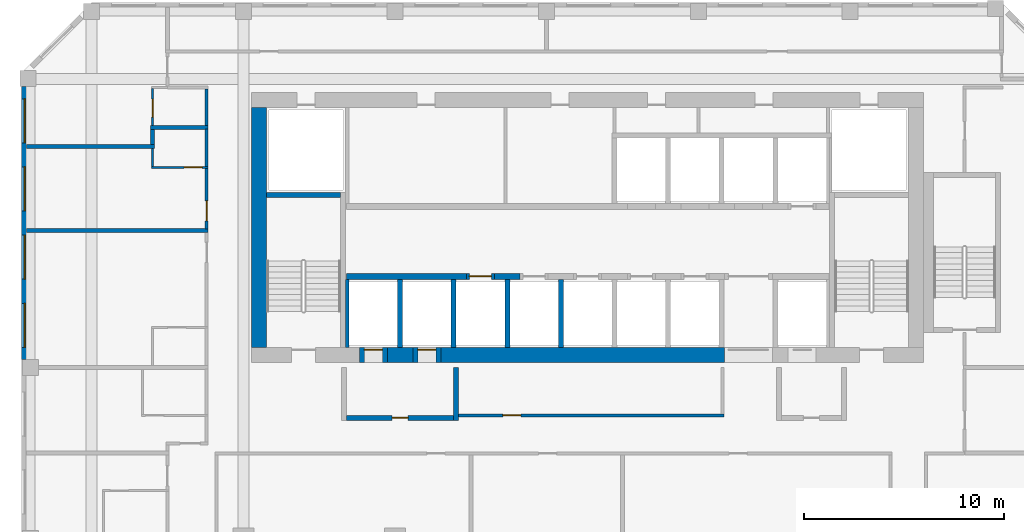
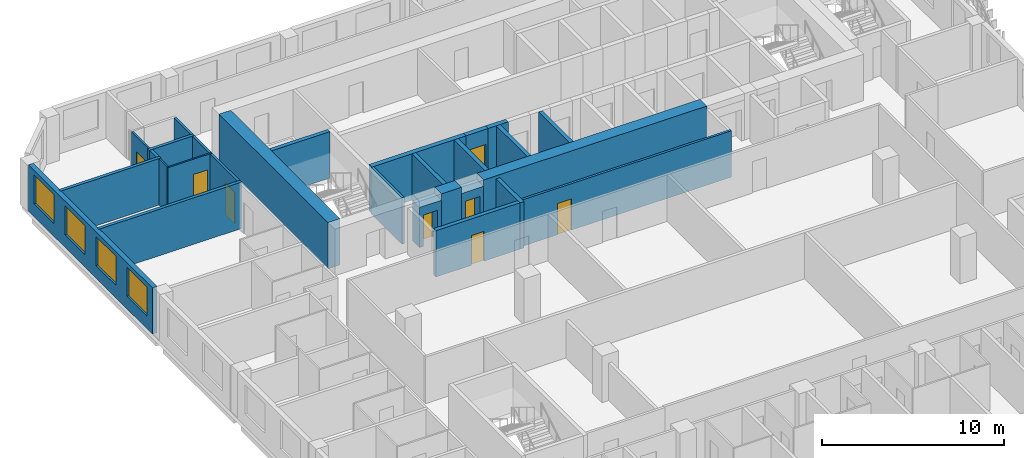
# One storey, part 7 of 22: 28 walls, 8 doors, 4 windows, 12 openings.
"""IFC4 building model written with IfcOpenShell, lengths in metres."""

from ifc_helpers import new_model, si_unit, direction, frame, frame_2d, origin, place, context, subcontext, project, spatial, rectangle, extrude, source, transform, mapped, material, layer, layer_set, type_object, element, fill, save


model = new_model("IFC4")

# Units and contexts
model_context = context("Model", 3, precision=1e-05, world=origin(), true_north=direction((0.0, 1.0)))
body_context = subcontext(model_context, "Body", "Model", "MODEL_VIEW")
ifc_project = project(units=[si_unit("LENGTHUNIT", "METRE"), si_unit("AREAUNIT", "SQUARE_METRE"), si_unit("VOLUMEUNIT", "CUBIC_METRE"), si_unit("PLANEANGLEUNIT", "RADIAN"), si_unit("MASSUNIT", "GRAM", prefix="KILO")], contexts=[model_context])

# Site, building, storey
site_placement = place(None, origin())
site = spatial("IfcSite", under=ifc_project, at=site_placement, CompositionType="ELEMENT")
building_placement = place(site_placement, origin())
building = spatial("IfcBuilding", under=site, at=building_placement, Name="Kilnfold Tower and Market Hall", CompositionType="ELEMENT")
storey_placement = place(building_placement, frame((0.0, 0.0, 188.89990234375)))
storey = spatial("IfcBuildingStorey", under=building, at=storey_placement, Name="L45", CompositionType="ELEMENT", Elevation=188.89990234375)

# Wall, opening, door
ifc_material_1 = material(Name="Gypsum board on steel studs", Category="steel")
ifc_layer_1 = layer(ifc_material_1, 0.14990234375)
ifc_layer_set_1 = layer_set([ifc_layer_1], Name="Gypsum board on steel studs")
wall_type_1 = type_object("IfcWallType", Name="WALL CORRIDOR 150", PredefinedType="PARTITIONING", material=ifc_layer_set_1)
wall_1_placement = place(storey_placement, frame((-18.0, 14.927001953125, 0.0), z_axis=(0.0, 0.0, 1.0), x_axis=(0.0, 1.0, 0.0)))
wall_1 = element("IfcWall", 1, at=wall_1_placement, inside=storey, type_object=wall_type_1, Name="Partition LY28.24", PredefinedType="PARTITIONING", context=body_context, shape_type="SweptSolid", body=[
    extrude(rectangle(XDim=3.032958984375, YDim=0.14990234375, at=frame_2d((1.5166015625, 0.0))), origin(), (0.0, 0.0, 1.0), 3.1201171875),
])
opening_1_placement = place(wall_1_placement, frame((0.404052734375, 0.0, 0.0)))
opening_1 = element("IfcOpeningElement", 2, at=opening_1_placement, cuts=wall_1, Name="Opening D1", PredefinedType="OPENING", context=body_context, shape_type="SweptSolid", body=[
    extrude(rectangle(XDim=1.0, YDim=2.10009765625, at=frame_2d((0.5, 1.050048828125))), frame((0.0, 0.0849609375, 0.0), z_axis=(0.0, -1.0, 0.0), x_axis=(1.0, 0.0, 0.0)), (0.0, 0.0, 1.0), 0.169921875),
])
ifc_material_2 = material(Name="Timber veneer door leaf in steel frame", Category="steel")
door_type_1 = type_object("IfcDoorType", Name="DOOR ENTRY 1000 X2100", OperationType="NOTDEFINED", PredefinedType="DOOR", material=ifc_material_2)
door_1_placement = place(opening_1_placement, origin())
door_1 = element("IfcDoor", 3, at=door_1_placement, inside=storey, type_object=door_type_1, Name="Door D1", OperationType="SINGLE_SWING_LEFT", OverallHeight=2.10009765625, OverallWidth=1.0, PredefinedType="DOOR", context=body_context, shape_type="SweptSolid", body=[
    extrude(rectangle(XDim=1.0, YDim=2.10009765625, at=frame_2d((0.5, 1.050048828125))), frame((0.0, 0.02490234375, 0.0), z_axis=(0.0, -1.0, 0.0), x_axis=(1.0, 0.0, 0.0)), (0.0, 0.0, 1.0), 0.050048828125),
])
fill(opening_1, door_1)

# Walls
wall_2_placement = place(storey_placement, frame((-18.0, 18.0400390625, 0.0), z_axis=(0.0, 0.0, 1.0), x_axis=(0.0, 1.0, 0.0)))
element("IfcWall", 4, at=wall_2_placement, inside=storey, type_object=wall_type_1, Name="Partition LY28.25", PredefinedType="PARTITIONING", context=body_context, shape_type="SweptSolid", body=[
    extrude(rectangle(XDim=1.869873046875, YDim=0.14990234375, at=frame_2d((0.93505859375, 0.0))), origin(), (0.0, 0.0, 1.0), 3.1201171875),
])
wall_3_placement = place(storey_placement, frame((-18.0, 20.090087890625, 0.0), z_axis=(0.0, 0.0, 1.0), x_axis=(0.0, 1.0, 0.0)))
element("IfcWall", 5, at=wall_3_placement, inside=storey, type_object=wall_type_1, Name="Partition LY28.27", PredefinedType="PARTITIONING", context=body_context, shape_type="SweptSolid", body=[
    extrude(rectangle(XDim=1.8349609375, YDim=0.14990234375, at=frame_2d((0.91748046875, 0.0))), origin(), (0.0, 0.0, 1.0), 3.1201171875),
])

# Wall, opening, door
wall_4_placement = place(storey_placement, frame((7.875, 5.60009765625, 0.0), z_axis=(0.0, 0.0, 1.0), x_axis=(-1.0, 0.0, 0.0)))
wall_4 = element("IfcWall", 6, at=wall_4_placement, inside=storey, type_object=wall_type_1, Name="Partition LY28.40", PredefinedType="PARTITIONING", context=body_context, shape_type="SweptSolid", body=[
    extrude(rectangle(XDim=13.27490234375, YDim=0.14990234375, at=frame_2d((6.637451171875, 0.0))), origin(), (0.0, 0.0, 1.0), 3.1201171875),
])
opening_2_placement = place(wall_4_placement, frame((10.162109375, 0.0, 0.0)))
opening_2 = element("IfcOpeningElement", 7, at=opening_2_placement, cuts=wall_4, Name="Opening D2", PredefinedType="OPENING", context=body_context, shape_type="SweptSolid", body=[
    extrude(rectangle(XDim=0.89990234375, YDim=2.10009765625, at=frame_2d((0.449951171875, 1.050048828125))), frame((0.0, 0.0849609375, 0.0), z_axis=(0.0, -1.0, 0.0), x_axis=(1.0, 0.0, 0.0)), (0.0, 0.0, 1.0), 0.169921875),
])
ifc_material_3 = material(Name="Timber veneer door leaf in steel frame", Category="steel")
door_type_2 = type_object("IfcDoorType", Name="DOOR ROOM 900 X2100", OperationType="NOTDEFINED", PredefinedType="DOOR", material=ifc_material_3)
door_2_placement = place(opening_2_placement, origin())
door_2 = element("IfcDoor", 8, at=door_2_placement, inside=storey, type_object=door_type_2, Name="Door D2", OperationType="SINGLE_SWING_RIGHT", OverallHeight=2.10009765625, OverallWidth=0.89990234375, PredefinedType="DOOR", context=body_context, shape_type="SweptSolid", body=[
    extrude(rectangle(XDim=0.89990234375, YDim=2.10009765625, at=frame_2d((0.449951171875, 1.050048828125))), frame((0.0, 0.02490234375, 0.0), z_axis=(0.0, -1.0, 0.0), x_axis=(1.0, 0.0, 0.0)), (0.0, 0.0, 1.0), 0.050048828125),
])
fill(opening_2, door_2)

ifc_material_4 = material(Name="Gypsum board on steel studs", Category="steel")
ifc_layer_2 = layer(ifc_material_4, 0.10009765625)
ifc_layer_set_2 = layer_set([ifc_layer_2], Name="Gypsum board on steel studs")
wall_type_2 = type_object("IfcWallType", Name="WALL PARTITION 100", PredefinedType="PARTITIONING", material=ifc_layer_set_2)
wall_5_placement = place(storey_placement, frame((-17.927001953125, 18.0, 0.0), z_axis=(0.0, 0.0, 1.0), x_axis=(-1.0, 0.0, 0.0)))
wall_5 = element("IfcWall", 9, at=wall_5_placement, inside=storey, type_object=wall_type_2, Name="Partition LY28.107", PredefinedType="PARTITIONING", context=body_context, shape_type="SweptSolid", body=[
    extrude(rectangle(XDim=2.824951171875, YDim=0.10009765625, at=frame_2d((1.41259765625, 0.0))), origin(), (0.0, 0.0, 1.0), 3.1201171875),
])
opening_3_placement = place(wall_5_placement, frame((0.302001953125, 0.0, 0.0)))
opening_3 = element("IfcOpeningElement", 10, at=opening_3_placement, cuts=wall_5, Name="Opening D3", PredefinedType="OPENING", context=body_context, shape_type="SweptSolid", body=[
    extrude(rectangle(XDim=0.89990234375, YDim=2.10009765625, at=frame_2d((0.449951171875, 1.050048828125))), frame((0.0, 0.06005859375, 0.0), z_axis=(0.0, -1.0, 0.0), x_axis=(1.0, 0.0, 0.0)), (0.0, 0.0, 1.0), 0.1201171875),
])
ifc_material_5 = material(Name="Timber veneer door leaf in steel frame", Category="steel")
door_type_3 = type_object("IfcDoorType", Name="DOOR WC 900 X2100", OperationType="NOTDEFINED", PredefinedType="DOOR", material=ifc_material_5)
door_3_placement = place(opening_3_placement, origin())
door_3 = element("IfcDoor", 11, at=door_3_placement, inside=storey, type_object=door_type_3, Name="Door D3", OperationType="SINGLE_SWING_RIGHT", OverallHeight=2.10009765625, OverallWidth=0.89990234375, PredefinedType="DOOR", context=body_context, shape_type="SweptSolid", body=[
    extrude(rectangle(XDim=0.89990234375, YDim=2.10009765625, at=frame_2d((0.449951171875, 1.050048828125))), frame((0.0, 0.02490234375, 0.0), z_axis=(0.0, -1.0, 0.0), x_axis=(1.0, 0.0, 0.0)), (0.0, 0.0, 1.0), 0.050048828125),
])
fill(opening_3, door_3)

# Wall
wall_6_placement = place(storey_placement, frame((-20.701904296875, 18.050048828125, 0.0), z_axis=(0.0, 0.0, 1.0), x_axis=(0.0, 1.0, 0.0)))
element("IfcWall", 12, at=wall_6_placement, inside=storey, type_object=wall_type_2, Name="Partition LY28.108", PredefinedType="PARTITIONING", context=body_context, shape_type="SweptSolid", body=[
    extrude(rectangle(XDim=0.90283203125, YDim=0.10009765625, at=frame_2d((0.451416015625, 0.0))), origin(), (0.0, 0.0, 1.0), 3.1201171875),
])

# Wall, opening, door
wall_7_placement = place(storey_placement, frame((-20.701904296875, 20.090087890625, 0.0), z_axis=(0.0, 0.0, 1.0), x_axis=(0.0, 1.0, 0.0)))
wall_7 = element("IfcWall", 13, at=wall_7_placement, inside=storey, type_object=wall_type_2, Name="Partition LY28.113", PredefinedType="PARTITIONING", context=body_context, shape_type="SweptSolid", body=[
    extrude(rectangle(XDim=1.85986328125, YDim=0.10009765625, at=frame_2d((0.929931640625, 0.0))), origin(), (0.0, 0.0, 1.0), 3.1201171875),
])
opening_4_placement = place(wall_7_placement, frame((0.424072265625, 0.0, 0.0)))
opening_4 = element("IfcOpeningElement", 14, at=opening_4_placement, cuts=wall_7, Name="Opening D3", PredefinedType="OPENING", context=body_context, shape_type="SweptSolid", body=[
    extrude(rectangle(XDim=0.89990234375, YDim=2.10009765625, at=frame_2d((0.449951171875, 1.050048828125))), frame((0.0, 0.06005859375, 0.0), z_axis=(0.0, -1.0, 0.0), x_axis=(1.0, 0.0, 0.0)), (0.0, 0.0, 1.0), 0.1201171875),
])
door_4_placement = place(opening_4_placement, origin())
door_4 = element("IfcDoor", 15, at=door_4_placement, inside=storey, type_object=door_type_3, Name="Door D3", OperationType="SINGLE_SWING_LEFT", OverallHeight=2.10009765625, OverallWidth=0.89990234375, PredefinedType="DOOR", context=body_context, shape_type="SweptSolid", body=[
    extrude(rectangle(XDim=0.89990234375, YDim=2.10009765625, at=frame_2d((0.449951171875, 1.050048828125))), frame((0.0, 0.02490234375, 0.0), z_axis=(0.0, -1.0, 0.0), x_axis=(1.0, 0.0, 0.0)), (0.0, 0.0, 1.0), 0.050048828125),
])
fill(opening_4, door_4)

# Walls
ifc_material_6 = material(Name="Gypsum board on steel studs", Category="steel")
ifc_layer_3 = layer(ifc_material_6, 0.199951171875)
ifc_layer_set_3 = layer_set([ifc_layer_3], Name="Gypsum board on steel studs")
wall_type_3 = type_object("IfcWallType", Name="WALL PARTY 200", PredefinedType="PARTITIONING", material=ifc_layer_set_3)
wall_8_placement = place(storey_placement, frame((-17.927001953125, 14.8369140625, 0.0), z_axis=(0.0, 0.0, 1.0), x_axis=(-1.0, 0.0, 0.0)))
element("IfcWall", 16, at=wall_8_placement, inside=storey, type_object=wall_type_3, Name="Partition LY28.106", PredefinedType="PARTITIONING", context=body_context, shape_type="SweptSolid", body=[
    extrude(rectangle(XDim=9.072998046875, YDim=0.199951171875, at=frame_2d((4.53662109375, 0.0))), origin(), (0.0, 0.0, 1.0), 3.1201171875),
])
wall_9_placement = place(storey_placement, frame((-20.60205078125, 19.052978515625, 0.0), z_axis=(0.0, 0.0, 1.0), x_axis=(-1.0, 0.0, 0.0)))
element("IfcWall", 17, at=wall_9_placement, inside=storey, type_object=wall_type_3, Name="Partition LY28.109", PredefinedType="PARTITIONING", context=body_context, shape_type="SweptSolid", body=[
    extrude(rectangle(XDim=6.39794921875, YDim=0.199951171875, at=frame_2d((3.198974609375, 0.0))), origin(), (0.0, 0.0, 1.0), 3.1201171875),
])
wall_10_placement = place(storey_placement, frame((-20.701904296875, 19.89990234375, 0.0), z_axis=(0.0, 0.0, 1.0), x_axis=(0.0, -1.0, 0.0)))
element("IfcWall", 18, at=wall_10_placement, inside=storey, type_object=wall_type_3, Name="Partition LY28.110", PredefinedType="PARTITIONING", context=body_context, shape_type="SweptSolid", body=[
    extrude(rectangle(XDim=0.7568359375, YDim=0.199951171875, at=frame_2d((0.37841796875, 0.0))), origin(), (0.0, 0.0, 1.0), 3.1201171875),
])
wall_11_placement = place(storey_placement, frame((-17.927001953125, 20.0, 0.0), z_axis=(0.0, 0.0, 1.0), x_axis=(-1.0, 0.0, 0.0)))
element("IfcWall", 19, at=wall_11_placement, inside=storey, type_object=wall_type_3, Name="Partition LY28.111", PredefinedType="PARTITIONING", context=body_context, shape_type="SweptSolid", body=[
    extrude(rectangle(XDim=2.875, YDim=0.199951171875, at=frame_2d((1.4375, 0.0))), origin(), (0.0, 0.0, 1.0), 3.1201171875),
])
ifc_material_7 = material(Name="Concrete C60", Category="concrete")
ifc_layer_4 = layer(ifc_material_7, 0.25)
ifc_layer_set_4 = layer_set([ifc_layer_4], Name="Concrete C60")
wall_type_4 = type_object("IfcWallType", Name="CORE WALL 250 C60", PredefinedType="SHEAR", material=ifc_layer_set_4)
shared_shape_1 = source(origin(), body_context, "Body", "SweptSolid", [
    extrude(rectangle(XDim=3.699951171875, YDim=0.25, at=frame_2d((1.85009765625, 0.0))), origin(), (0.0, 0.0, 1.0), 3.1201171875),
])
wall_12_placement = place(storey_placement, frame((-15.0, 16.625, 0.0), z_axis=(0.0, 0.0, 1.0), x_axis=(1.0, 0.0, 0.0)))
element("IfcWall", 20, at=wall_12_placement, inside=storey, type_object=wall_type_4, Name="Stair enclosure ST1", PredefinedType="SHEAR", context=body_context, shape_type="MappedRepresentation", body=[
    mapped(shared_shape_1, transform((0.0, 0.0, 0.0))),
])
ifc_material_8 = material(Name="Concrete C60", Category="concrete")
ifc_layer_5 = layer(ifc_material_8, 0.300048828125)
ifc_layer_set_5 = layer_set([ifc_layer_5], Name="Concrete C60")
wall_type_5 = type_object("IfcWallType", Name="CORE WALL 300 C60", PredefinedType="SHEAR", material=ifc_layer_set_5)
shared_shape_2 = source(origin(), body_context, "Body", "SweptSolid", [
    extrude(rectangle(XDim=6.0, YDim=0.300048828125, at=frame_2d((3.0, 0.0))), origin(), (0.0, 0.0, 1.0), 3.1201171875),
])
wall_13_placement = place(storey_placement, frame((-11.010009765625, 12.550048828125, 0.0), z_axis=(0.0, 0.0, 1.0), x_axis=(1.0, 0.0, 0.0)))
element("IfcWall", 21, at=wall_13_placement, inside=storey, type_object=wall_type_5, Name="Core spine wall", PredefinedType="SHEAR", context=body_context, shape_type="MappedRepresentation", body=[
    mapped(shared_shape_2, transform((0.0, 0.0, 0.0))),
])
shared_shape_3 = source(origin(), body_context, "Body", "SweptSolid", [
    extrude(rectangle(XDim=1.280029296875, YDim=0.300048828125, at=frame_2d((0.64013671875, 0.0))), origin(), (0.0, 0.0, 1.0), 3.1201171875),
])
wall_14_placement = place(storey_placement, frame((-3.610107421875, 12.550048828125, 0.0), z_axis=(0.0, 0.0, 1.0), x_axis=(1.0, 0.0, 0.0)))
element("IfcWall", 22, at=wall_14_placement, inside=storey, type_object=wall_type_5, Name="Core spine wall", PredefinedType="SHEAR", context=body_context, shape_type="MappedRepresentation", body=[
    mapped(shared_shape_3, transform((0.0, 0.0, 0.0))),
])
ifc_material_9 = material(Name="Concrete C60", Category="concrete")
ifc_layer_6 = layer(ifc_material_9, 0.75)
ifc_layer_set_6 = layer_set([ifc_layer_6], Name="Concrete C60")
wall_type_6 = type_object("IfcWallType", Name="CORE WALL 750 C60", PredefinedType="SHEAR", material=ifc_layer_set_6)
shared_shape_4 = source(origin(), body_context, "Body", "SweptSolid", [
    extrude(rectangle(XDim=1.280029296875, YDim=0.75, at=frame_2d((0.64013671875, 0.0))), origin(), (0.0, 0.0, 1.0), 3.1201171875),
])
wall_15_placement = place(storey_placement, frame((-8.969970703125, 8.625, 0.0), z_axis=(0.0, 0.0, 1.0), x_axis=(1.0, 0.0, 0.0)))
element("IfcWall", 23, at=wall_15_placement, inside=storey, type_object=wall_type_6, Name="Core outer wall south", PredefinedType="SHEAR", context=body_context, shape_type="MappedRepresentation", body=[
    mapped(shared_shape_4, transform((0.0, 0.0, 0.0))),
])
shared_shape_5 = source(origin(), body_context, "Body", "SweptSolid", [
    extrude(rectangle(XDim=14.179931640625, YDim=0.75, at=frame_2d((7.08984375, 0.0))), origin(), (0.0, 0.0, 1.0), 3.1201171875),
])
wall_16_placement = place(storey_placement, frame((-6.2900390625, 8.625, 0.0), z_axis=(0.0, 0.0, 1.0), x_axis=(1.0, 0.0, 0.0)))
element("IfcWall", 24, at=wall_16_placement, inside=storey, type_object=wall_type_6, Name="Core outer wall south", PredefinedType="SHEAR", context=body_context, shape_type="MappedRepresentation", body=[
    mapped(shared_shape_5, transform((0.0, 0.0, 0.0))),
])
shared_shape_6 = source(origin(), body_context, "Body", "SweptSolid", [
    extrude(rectangle(XDim=12.0, YDim=0.75, at=frame_2d((6.0, 0.0))), origin(), (0.0, 0.0, 1.0), 3.1201171875),
])
wall_17_placement = place(storey_placement, frame((-15.375, 9.0, 0.0), z_axis=(0.0, 0.0, 1.0), x_axis=(0.0, 1.0, 0.0)))
element("IfcWall", 25, at=wall_17_placement, inside=storey, type_object=wall_type_6, Name="Core outer wall west", PredefinedType="SHEAR", context=body_context, shape_type="MappedRepresentation", body=[
    mapped(shared_shape_6, transform((0.0, 0.0, 0.0))),
])

# Wall, openings, windows
ifc_material_10 = material(Name="Precast concrete C50/60", Category="concrete")
ifc_layer_7 = layer(ifc_material_10, 0.300048828125)
ifc_layer_set_7 = layer_set([ifc_layer_7], Name="Precast concrete C50/60")
wall_type_7 = type_object("IfcWallType", Name="PRECAST WALL 300", PredefinedType="SOLIDWALL", material=ifc_layer_set_7)
shared_shape_7 = source(origin(), body_context, "Body", "SweptSolid", [
    extrude(rectangle(XDim=13.6318359375, YDim=0.300048828125, at=frame_2d((6.81591796875, 0.0))), origin(), (0.0, 0.0, 1.0), 3.1201171875),
])
wall_18_placement = place(storey_placement, frame((-27.10009765625, 22.03173828125, 0.0), z_axis=(0.0, 0.0, 1.0), x_axis=(0.0, -1.0, 0.0)))
wall_18 = element("IfcWall", 26, at=wall_18_placement, inside=storey, type_object=wall_type_7, Name="External wall L45 W", PredefinedType="SOLIDWALL", context=body_context, shape_type="MappedRepresentation", body=[
    mapped(shared_shape_7, transform((0.0, 0.0, 0.0))),
])
opening_5_placement = place(wall_18_placement, frame((0.60400390625, 0.0, 0.85009765625)))
opening_5 = element("IfcOpeningElement", 27, at=opening_5_placement, cuts=wall_18, Name="Opening W2", PredefinedType="OPENING", context=body_context, shape_type="SweptSolid", body=[
    extrude(rectangle(XDim=2.199951171875, YDim=1.949951171875, at=frame_2d((1.10009765625, 0.97509765625))), frame((0.0, 0.16015625, 0.0), z_axis=(0.0, -1.0, 0.0), x_axis=(1.0, 0.0, 0.0)), (0.0, 0.0, 1.0), 0.320068359375),
])
opening_6_placement = place(wall_18_placement, frame((4.011962890625, 0.0, 0.85009765625)))
opening_6 = element("IfcOpeningElement", 28, at=opening_6_placement, cuts=wall_18, Name="Opening W2", PredefinedType="OPENING", context=body_context, shape_type="SweptSolid", body=[
    extrude(rectangle(XDim=2.199951171875, YDim=1.949951171875, at=frame_2d((1.10009765625, 0.97509765625))), frame((0.0, 0.16015625, 0.0), z_axis=(0.0, -1.0, 0.0), x_axis=(1.0, 0.0, 0.0)), (0.0, 0.0, 1.0), 0.320068359375),
])
opening_7_placement = place(wall_18_placement, frame((7.419921875, 0.0, 0.85009765625)))
opening_7 = element("IfcOpeningElement", 29, at=opening_7_placement, cuts=wall_18, Name="Opening W2", PredefinedType="OPENING", context=body_context, shape_type="SweptSolid", body=[
    extrude(rectangle(XDim=2.199951171875, YDim=1.949951171875, at=frame_2d((1.10009765625, 0.97509765625))), frame((0.0, 0.16015625, 0.0), z_axis=(0.0, -1.0, 0.0), x_axis=(1.0, 0.0, 0.0)), (0.0, 0.0, 1.0), 0.320068359375),
])
opening_8_placement = place(wall_18_placement, frame((10.827880859375, 0.0, 0.85009765625)))
opening_8 = element("IfcOpeningElement", 30, at=opening_8_placement, cuts=wall_18, Name="Opening W2", PredefinedType="OPENING", context=body_context, shape_type="SweptSolid", body=[
    extrude(rectangle(XDim=2.199951171875, YDim=1.949951171875, at=frame_2d((1.10009765625, 0.97509765625))), frame((0.0, 0.16015625, 0.0), z_axis=(0.0, -1.0, 0.0), x_axis=(1.0, 0.0, 0.0)), (0.0, 0.0, 1.0), 0.320068359375),
])
ifc_material_11 = material(Name="Aluminium frame and double glazing", Category="aluminium")
window_type = type_object("IfcWindowType", Name="WINDOW W2 2200X1950", PartitioningType="SINGLE_PANEL", PredefinedType="WINDOW", material=ifc_material_11)
window_1_placement = place(opening_5_placement, origin())
window_1 = element("IfcWindow", 31, at=window_1_placement, inside=storey, type_object=window_type, Name="Window W2 L45 W-1", OverallHeight=1.949951171875, OverallWidth=2.199951171875, PartitioningType="SINGLE_PANEL", PredefinedType="WINDOW", context=body_context, shape_type="SweptSolid", body=[
    extrude(rectangle(XDim=2.199951171875, YDim=1.949951171875, at=frame_2d((1.10009765625, 0.97509765625))), frame((0.0, 0.030029296875, 0.0), z_axis=(0.0, -1.0, 0.0), x_axis=(1.0, 0.0, 0.0)), (0.0, 0.0, 1.0), 0.06005859375),
])
fill(opening_5, window_1)
window_2_placement = place(opening_6_placement, origin())
window_2 = element("IfcWindow", 32, at=window_2_placement, inside=storey, type_object=window_type, Name="Window W2 L45 W-2", OverallHeight=1.949951171875, OverallWidth=2.199951171875, PartitioningType="SINGLE_PANEL", PredefinedType="WINDOW", context=body_context, shape_type="SweptSolid", body=[
    extrude(rectangle(XDim=2.199951171875, YDim=1.949951171875, at=frame_2d((1.10009765625, 0.97509765625))), frame((0.0, 0.030029296875, 0.0), z_axis=(0.0, -1.0, 0.0), x_axis=(1.0, 0.0, 0.0)), (0.0, 0.0, 1.0), 0.06005859375),
])
fill(opening_6, window_2)
window_3_placement = place(opening_7_placement, origin())
window_3 = element("IfcWindow", 33, at=window_3_placement, inside=storey, type_object=window_type, Name="Window W2 L45 W-3", OverallHeight=1.949951171875, OverallWidth=2.199951171875, PartitioningType="SINGLE_PANEL", PredefinedType="WINDOW", context=body_context, shape_type="SweptSolid", body=[
    extrude(rectangle(XDim=2.199951171875, YDim=1.949951171875, at=frame_2d((1.10009765625, 0.97509765625))), frame((0.0, 0.030029296875, 0.0), z_axis=(0.0, -1.0, 0.0), x_axis=(1.0, 0.0, 0.0)), (0.0, 0.0, 1.0), 0.06005859375),
])
fill(opening_7, window_3)
window_4_placement = place(opening_8_placement, origin())
window_4 = element("IfcWindow", 34, at=window_4_placement, inside=storey, type_object=window_type, Name="Window W2 L45 W-4", OverallHeight=1.949951171875, OverallWidth=2.199951171875, PartitioningType="SINGLE_PANEL", PredefinedType="WINDOW", context=body_context, shape_type="SweptSolid", body=[
    extrude(rectangle(XDim=2.199951171875, YDim=1.949951171875, at=frame_2d((1.10009765625, 0.97509765625))), frame((0.0, 0.030029296875, 0.0), z_axis=(0.0, -1.0, 0.0), x_axis=(1.0, 0.0, 0.0)), (0.0, 0.0, 1.0), 0.06005859375),
])
fill(opening_8, window_4)

# Wall, opening, door
ifc_material_12 = material(Name="Gypsum shaft wall system")
ifc_layer_8 = layer(ifc_material_12, 0.300048828125)
ifc_layer_set_8 = layer_set([ifc_layer_8], Name="Gypsum shaft wall system")
wall_type_8 = type_object("IfcWallType", Name="SHAFT WALL 300", PredefinedType="PARTITIONING", material=ifc_layer_set_8)
shared_shape_8 = source(origin(), body_context, "Body", "SweptSolid", [
    extrude(rectangle(XDim=1.39990234375, YDim=0.300048828125, at=frame_2d((0.699951171875, 0.0))), origin(), (0.0, 0.0, 1.0), 3.1201171875),
])
wall_19_placement = place(storey_placement, frame((-5.010009765625, 12.550048828125, 0.0), z_axis=(0.0, 0.0, 1.0), x_axis=(1.0, 0.0, 0.0)))
wall_19 = element("IfcWall", 35, at=wall_19_placement, inside=storey, type_object=wall_type_8, Name="Lift shaft front wall", PredefinedType="PARTITIONING", context=body_context, shape_type="MappedRepresentation", body=[
    mapped(shared_shape_8, transform((0.0, 0.0, 0.0))),
])
opening_9_placement = place(wall_19_placement, frame((0.14990234375, 0.0, 0.0)))
opening_9 = element("IfcOpeningElement", 36, at=opening_9_placement, cuts=wall_19, Name="Opening LD2", PredefinedType="OPENING", context=body_context, shape_type="SweptSolid", body=[
    extrude(rectangle(XDim=1.10009765625, YDim=2.10009765625, at=frame_2d((0.550048828125, 1.050048828125))), frame((0.0, 0.16015625, 0.0), z_axis=(0.0, -1.0, 0.0), x_axis=(1.0, 0.0, 0.0)), (0.0, 0.0, 1.0), 0.320068359375),
])
ifc_material_13 = material(Name="Steel door set with fire-resisting leaf", Category="steel")
door_type_4 = type_object("IfcDoorType", Name="LANDING DOOR 1100X2100", OperationType="NOTDEFINED", PredefinedType="DOOR", material=ifc_material_13)
door_5_placement = place(opening_9_placement, origin())
door_5 = element("IfcDoor", 37, at=door_5_placement, inside=storey, type_object=door_type_4, Name="Landing door MR1", OperationType="DOUBLE_DOOR_SLIDING", OverallHeight=2.10009765625, OverallWidth=1.10009765625, PredefinedType="DOOR", context=body_context, shape_type="SweptSolid", body=[
    extrude(rectangle(XDim=1.10009765625, YDim=2.10009765625, at=frame_2d((0.550048828125, 1.050048828125))), frame((0.0, 0.02490234375, 0.0), z_axis=(0.0, -1.0, 0.0), x_axis=(1.0, 0.0, 0.0)), (0.0, 0.0, 1.0), 0.050048828125),
])
fill(opening_9, door_5)

# Wall
ifc_material_14 = material(Name="Gypsum shaft wall system")
ifc_layer_9 = layer(ifc_material_14, 0.25)
ifc_layer_set_9 = layer_set([ifc_layer_9], Name="Gypsum shaft wall system")
wall_type_9 = type_object("IfcWallType", Name="LOBBY WALL 250", PredefinedType="PARTITIONING", material=ifc_layer_set_9)
shared_shape_9 = source(origin(), body_context, "Body", "SweptSolid", [
    extrude(rectangle(XDim=2.64990234375, YDim=0.25, at=frame_2d((1.324951171875, 0.0))), origin(), (0.0, 0.0, 1.0), 3.1201171875),
])
wall_20_placement = place(storey_placement, frame((-5.52490234375, 5.35009765625, 0.0), z_axis=(0.0, 0.0, 1.0), x_axis=(0.0, 1.0, 0.0)))
element("IfcWall", 38, at=wall_20_placement, inside=storey, type_object=wall_type_9, Name="Firefighting lobby wall", PredefinedType="PARTITIONING", context=body_context, shape_type="MappedRepresentation", body=[
    mapped(shared_shape_9, transform((0.0, 0.0, 0.0))),
])

# Wall, opening, door
shared_shape_10 = source(origin(), body_context, "Body", "SweptSolid", [
    extrude(rectangle(XDim=5.360107421875, YDim=0.25, at=frame_2d((2.68017578125, 0.0))), origin(), (0.0, 0.0, 1.0), 3.1201171875),
])
wall_21_placement = place(storey_placement, frame((-11.010009765625, 5.47509765625, 0.0), z_axis=(0.0, 0.0, 1.0), x_axis=(1.0, 0.0, 0.0)))
wall_21 = element("IfcWall", 39, at=wall_21_placement, inside=storey, type_object=wall_type_9, Name="Firefighting lobby wall", PredefinedType="PARTITIONING", context=body_context, shape_type="MappedRepresentation", body=[
    mapped(shared_shape_10, transform((0.0, 0.0, 0.0))),
])
opening_10_placement = place(wall_21_placement, frame((2.280029296875, 0.0, 0.0)))
opening_10 = element("IfcOpeningElement", 40, at=opening_10_placement, cuts=wall_21, Name="Opening VD1", PredefinedType="OPENING", context=body_context, shape_type="SweptSolid", body=[
    extrude(rectangle(XDim=0.800048828125, YDim=2.0, at=frame_2d((0.39990234375, 1.0))), frame((0.0, 0.135009765625, 0.0), z_axis=(0.0, -1.0, 0.0), x_axis=(1.0, 0.0, 0.0)), (0.0, 0.0, 1.0), 0.27001953125),
])
ifc_material_15 = material(Name="Steel door set with fire-resisting leaf", Category="steel")
door_type_5 = type_object("IfcDoorType", Name="FIREFIGHTING LOBBY DOOR 800X2000", OperationType="NOTDEFINED", PredefinedType="DOOR", material=ifc_material_15)
door_6_placement = place(opening_10_placement, origin())
door_6 = element("IfcDoor", 41, at=door_6_placement, inside=storey, type_object=door_type_5, Name="Firefighting lobby door", OperationType="SINGLE_SWING_LEFT", OverallHeight=2.0, OverallWidth=0.800048828125, PredefinedType="DOOR", context=body_context, shape_type="SweptSolid", body=[
    extrude(rectangle(XDim=0.800048828125, YDim=2.0, at=frame_2d((0.39990234375, 1.0))), frame((0.0, 0.02490234375, 0.0), z_axis=(0.0, -1.0, 0.0), x_axis=(1.0, 0.0, 0.0)), (0.0, 0.0, 1.0), 0.050048828125),
])
fill(opening_10, door_6)

# Walls
ifc_material_16 = material(Name="Gypsum shaft wall system")
ifc_layer_10 = layer(ifc_material_16, 0.25)
ifc_layer_set_10 = layer_set([ifc_layer_10], Name="Gypsum shaft wall system")
wall_type_10 = type_object("IfcWallType", Name="SHAFT WALL 250", PredefinedType="PARTITIONING", material=ifc_layer_set_10)
shared_shape_11 = source(origin(), body_context, "Body", "SweptSolid", [
    extrude(rectangle(XDim=3.39990234375, YDim=0.25, at=frame_2d((1.699951171875, 0.0))), origin(), (0.0, 0.0, 1.0), 3.1201171875),
])
for number, where, z_axis, x_axis, name in (
    (42, (-0.2900390625, 9.0, 0.0), (0.0, 0.0, 1.0), (0.0, 1.0, 0.0), "Lift shaft wall"),
    (43, (-2.969970703125, 9.0, 0.0), (0.0, 0.0, 1.0), (0.0, 1.0, 0.0), "Lift shaft wall"),
    (44, (-5.64990234375, 9.0, 0.0), (0.0, 0.0, 1.0), (0.0, 1.0, 0.0), "Lift shaft wall"),
    (45, (-8.330078125, 9.0, 0.0), (0.0, 0.0, 1.0), (0.0, 1.0, 0.0), "Lift shaft wall"),
):
    element("IfcWall", number, at=place(storey_placement, frame(where, z_axis=z_axis, x_axis=x_axis)), inside=storey, type_object=wall_type_10, Name=name, PredefinedType="PARTITIONING", context=body_context, shape_type="MappedRepresentation", body=[
        mapped(shared_shape_11, transform((0.0, 0.0, 0.0))),
    ])
ifc_material_17 = material(Name="Gypsum shaft wall system")
ifc_layer_11 = layer(ifc_material_17, 0.1650390625)
ifc_layer_set_11 = layer_set([ifc_layer_11], Name="Gypsum shaft wall system")
wall_type_11 = type_object("IfcWallType", Name="SHAFT WALL 165", PredefinedType="PARTITIONING", material=ifc_layer_set_11)
shared_shape_12 = source(origin(), body_context, "Body", "SweptSolid", [
    extrude(rectangle(XDim=3.39990234375, YDim=0.1650390625, at=frame_2d((1.699951171875, 0.0))), origin(), (0.0, 0.0, 1.0), 3.1201171875),
])
wall_22_placement = place(storey_placement, frame((-10.967529296875, 9.0, 0.0), z_axis=(0.0, 0.0, 1.0), x_axis=(0.0, 1.0, 0.0)))
element("IfcWall", 46, at=wall_22_placement, inside=storey, type_object=wall_type_11, Name="Lift shaft wall", PredefinedType="PARTITIONING", context=body_context, shape_type="MappedRepresentation", body=[
    mapped(shared_shape_12, transform((0.0, 0.0, 0.0))),
])

# Wall, opening, door
ifc_material_18 = material(Name="Gypsum shaft wall system")
ifc_layer_12 = layer(ifc_material_18, 0.75)
ifc_layer_set_12 = layer_set([ifc_layer_12], Name="Gypsum shaft wall system")
wall_type_12 = type_object("IfcWallType", Name="LOBBY WALL 750", PredefinedType="PARTITIONING", material=ifc_layer_set_12)
shared_shape_13 = source(origin(), body_context, "Body", "SweptSolid", [
    extrude(rectangle(XDim=1.400146484375, YDim=0.75, at=frame_2d((0.7001953125, 0.0))), origin(), (0.0, 0.0, 1.0), 2.7001953125),
])
wall_23_placement = place(storey_placement, frame((-10.3701171875, 8.625, 0.0), z_axis=(0.0, 0.0, 1.0), x_axis=(1.0, 0.0, 0.0)))
wall_23 = element("IfcWall", 47, at=wall_23_placement, inside=storey, type_object=wall_type_12, Name="Core wall infill", PredefinedType="PARTITIONING", context=body_context, shape_type="MappedRepresentation", body=[
    mapped(shared_shape_13, transform((0.0, 0.0, 0.0))),
])
opening_11_placement = place(wall_23_placement, frame((0.25, 0.0, 0.0)))
opening_11 = element("IfcOpeningElement", 48, at=opening_11_placement, cuts=wall_23, Name="Opening LD1", PredefinedType="OPENING", context=body_context, shape_type="SweptSolid", body=[
    extrude(rectangle(XDim=0.89990234375, YDim=2.10009765625, at=frame_2d((0.449951171875, 1.050048828125))), frame((0.0, 0.385009765625, 0.0), z_axis=(0.0, -1.0, 0.0), x_axis=(1.0, 0.0, 0.0)), (0.0, 0.0, 1.0), 0.77001953125),
])
ifc_material_19 = material(Name="Steel door set with fire-resisting leaf", Category="steel")
door_type_6 = type_object("IfcDoorType", Name="FIREFIGHTING LANDING DOOR 900X2100", OperationType="NOTDEFINED", PredefinedType="DOOR", material=ifc_material_19)
door_7_placement = place(opening_11_placement, origin())
door_7 = element("IfcDoor", 49, at=door_7_placement, inside=storey, type_object=door_type_6, Name="Landing door FF1", OperationType="SLIDING_TO_LEFT", OverallHeight=2.10009765625, OverallWidth=0.89990234375, PredefinedType="DOOR", context=body_context, shape_type="SweptSolid", body=[
    extrude(rectangle(XDim=0.89990234375, YDim=2.10009765625, at=frame_2d((0.449951171875, 1.050048828125))), frame((0.0, 0.27978515625, 0.0), z_axis=(0.0, -1.0, 0.0), x_axis=(1.0, 0.0, 0.0)), (0.0, 0.0, 1.0), 0.050048828125),
])
fill(opening_11, door_7)

shared_shape_14 = source(origin(), body_context, "Body", "SweptSolid", [
    extrude(rectangle(XDim=1.39990234375, YDim=0.75, at=frame_2d((0.699951171875, 0.0))), origin(), (0.0, 0.0, 1.0), 2.7001953125),
])
wall_24_placement = place(storey_placement, frame((-7.68994140625, 8.625, 0.0), z_axis=(0.0, 0.0, 1.0), x_axis=(1.0, 0.0, 0.0)))
wall_24 = element("IfcWall", 50, at=wall_24_placement, inside=storey, type_object=wall_type_12, Name="Core wall infill", PredefinedType="PARTITIONING", context=body_context, shape_type="MappedRepresentation", body=[
    mapped(shared_shape_14, transform((0.0, 0.0, 0.0))),
])
opening_12_placement = place(wall_24_placement, frame((0.25, 0.0, 0.0)))
opening_12 = element("IfcOpeningElement", 51, at=opening_12_placement, cuts=wall_24, Name="Opening LD1", PredefinedType="OPENING", context=body_context, shape_type="SweptSolid", body=[
    extrude(rectangle(XDim=0.89990234375, YDim=2.10009765625, at=frame_2d((0.449951171875, 1.050048828125))), frame((0.0, 0.385009765625, 0.0), z_axis=(0.0, -1.0, 0.0), x_axis=(1.0, 0.0, 0.0)), (0.0, 0.0, 1.0), 0.77001953125),
])
door_8_placement = place(opening_12_placement, origin())
door_8 = element("IfcDoor", 52, at=door_8_placement, inside=storey, type_object=door_type_6, Name="Landing door FF2", OperationType="SLIDING_TO_RIGHT", OverallHeight=2.10009765625, OverallWidth=0.89990234375, PredefinedType="DOOR", context=body_context, shape_type="SweptSolid", body=[
    extrude(rectangle(XDim=0.89990234375, YDim=2.10009765625, at=frame_2d((0.449951171875, 1.050048828125))), frame((0.0, 0.27978515625, 0.0), z_axis=(0.0, -1.0, 0.0), x_axis=(1.0, 0.0, 0.0)), (0.0, 0.0, 1.0), 0.050048828125),
])
fill(opening_12, door_8)

save(model, "model.ifc")
